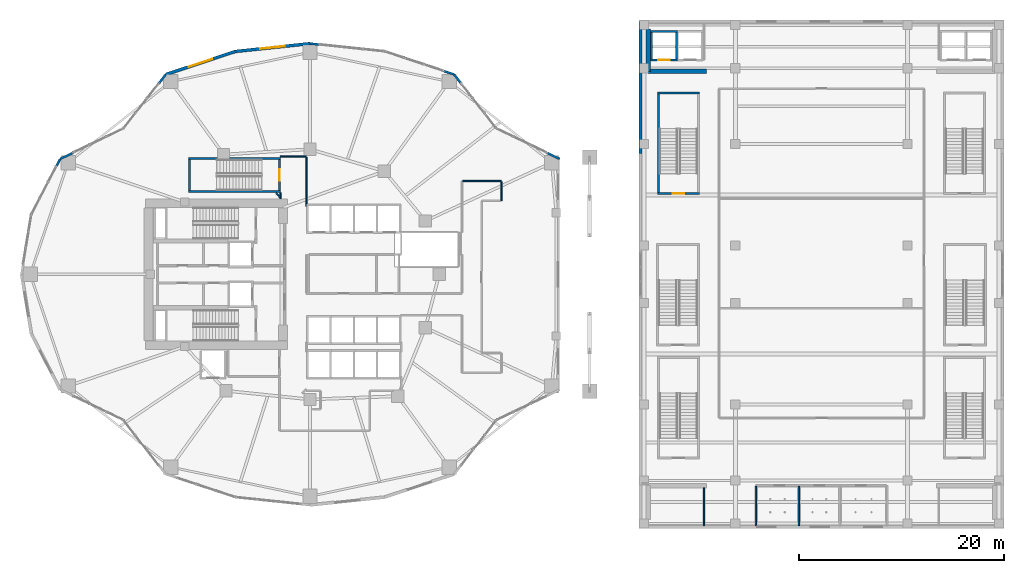
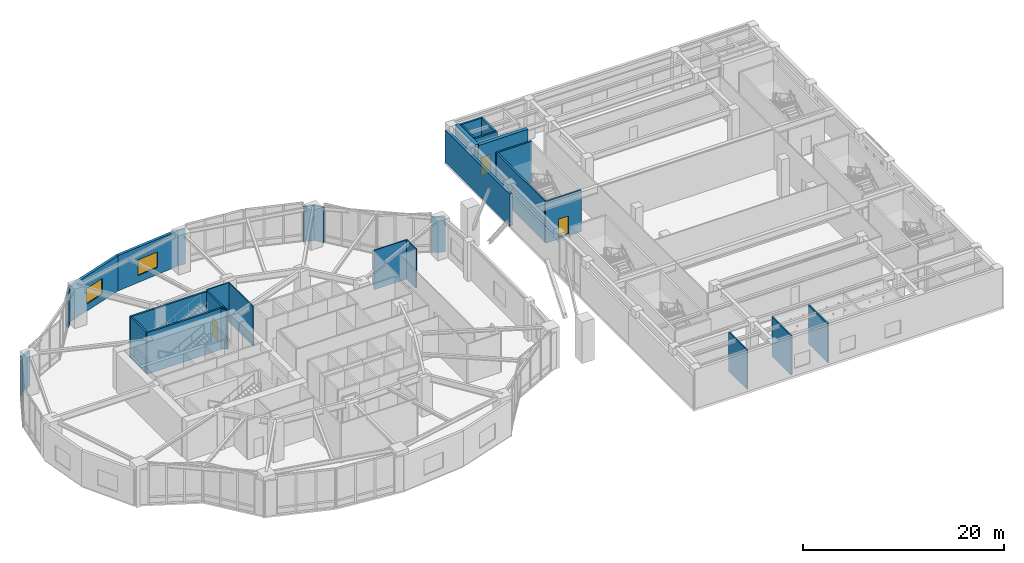
# One storey, part 17 of 24: 32 walls, 3 doors, 2 windows, 5 openings.
"""IFC4 building model written with IfcOpenShell, lengths in metres."""

import ifcopenshell
import ifcopenshell.guid

model = None  # the IFC model being written
_history = None  # IfcOwnerHistory: only IFC2X3 demands one
_inside = {}  # id of a spatial element -> (the spatial element, [elements in it])
_under = {}  # id of a project, library or spatial element -> (it, [spatial elements below it])
_declared = {}  # id of a project -> (the project, [libraries it declares])
_typed = {}  # id of a type object -> (the type object, [elements of that type])
_made_of = {}  # id of a material, layer set ... -> (it, [elements and type objects made of it])


def new_model(schema):
    """Start an empty IFC model of exactly this schema.

    Asked for "IFC4X3", IfcOpenShell would pick the latest addendum, in which some entities
    have other attributes; the version numbers below select the first issue.
    IFC2X3 requires an IfcOwnerHistory on every rooted entity: one is made here for all.
    """
    global model, _history
    if schema == "IFC4X3":
        model = ifcopenshell.file(schema_version=(4, 3, 0, 0))
    else:
        model = ifcopenshell.file(schema=schema)
    _inside.clear()
    _under.clear()
    _declared.clear()
    _typed.clear()
    _made_of.clear()
    _history = None
    if model.schema == "IFC2X3":
        org = make("IfcOrganization", Name="unknown")
        user = make(
            "IfcPersonAndOrganization",
            ThePerson=make("IfcPerson", FamilyName="unknown"),
            TheOrganization=org,
        )
        app = make(
            "IfcApplication",
            ApplicationDeveloper=org,
            Version="unknown",
            ApplicationFullName="unknown",
            ApplicationIdentifier="unknown",
        )
        _history = make(
            "IfcOwnerHistory",
            OwningUser=user,
            OwningApplication=app,
            ChangeAction="ADDED",
            CreationDate=0,
        )
    return model


def make(cls, **values):
    """One entity of the class cls with the attributes given. An attribute that is None is left unset."""
    return model.create_entity(
        cls, **{name: value for name, value in values.items() if value is not None}
    )


def rooted(cls, **values):
    """An entity with a GlobalId (a new one), such as an element, a storey or a relation."""
    return make(cls, GlobalId=ifcopenshell.guid.new(), OwnerHistory=_history, **values)


def si_unit(unit_type, name, prefix=None):
    """IfcSIUnit, for example si_unit("LENGTHUNIT", "METRE", prefix="MILLI")."""
    return make("IfcSIUnit", UnitType=unit_type, Prefix=prefix, Name=name)


def assignment(units):
    """IfcUnitAssignment: the units of a project."""
    return None if units is None else make("IfcUnitAssignment", Units=units)


def point(xyz):
    """IfcCartesianPoint."""
    return None if xyz is None else make("IfcCartesianPoint", Coordinates=xyz)


def direction(xyz):
    """IfcDirection."""
    return None if xyz is None else make("IfcDirection", DirectionRatios=xyz)


def frame(location, z_axis=None, x_axis=None):
    """IfcAxis2Placement3D, a coordinate frame: its origin and axes. An axis left out is left unset."""
    return make(
        "IfcAxis2Placement3D",
        Location=point(location),
        Axis=direction(z_axis),
        RefDirection=direction(x_axis),
    )


def frame_2d(location, x_axis=None):
    """IfcAxis2Placement2D, a coordinate frame in the plane: its origin and x axis."""
    return make(
        "IfcAxis2Placement2D", Location=point(location), RefDirection=direction(x_axis)
    )


def origin():
    """The frame at (0, 0, 0) with its axes left unset."""
    return frame((0.0, 0.0, 0.0))


def place(relative_to, where):
    """IfcLocalPlacement: puts the frame where relative to a parent placement (None: the world)."""
    return make(
        "IfcLocalPlacement", PlacementRelTo=relative_to, RelativePlacement=where
    )


def context(
    kind, dimensions, precision=None, world=None, true_north=None, identifier=None
):
    """IfcGeometricRepresentationContext, for example the 3D "Model" context."""
    return make(
        "IfcGeometricRepresentationContext",
        ContextIdentifier=identifier,
        ContextType=kind,
        CoordinateSpaceDimension=dimensions,
        Precision=precision,
        WorldCoordinateSystem=world,
        TrueNorth=true_north,
    )


def subcontext(parent, identifier, kind, view, scale=None):
    """IfcGeometricRepresentationSubContext, for example "Body" below "Model"."""
    return make(
        "IfcGeometricRepresentationSubContext",
        ContextIdentifier=identifier,
        ContextType=kind,
        ParentContext=parent,
        TargetScale=scale,
        TargetView=view,
    )


def project(units=None, contexts=None):
    """IfcProject with its units and contexts."""
    return rooted(
        "IfcProject",
        Name="project",
        RepresentationContexts=contexts,
        UnitsInContext=assignment(units),
    )


def spatial(cls, under=None, at=None, **own):
    """A site, building, storey or space (cls), placed at a placement, below another one or the project."""
    s = rooted(cls, ObjectPlacement=at, **own)
    if under is not None:
        _under.setdefault(under.id(), (under, []))[1].append(s)
    return s


def profile(cls, at=None, kind="AREA", **sizes):
    """A parametric profile (cls). Its sizes go by their IFC names, for example OverallWidth=200.0."""
    return make(cls, ProfileType=kind, Position=at, **sizes)


def rectangle(**sizes):
    """IfcRectangleProfileDef."""
    return profile("IfcRectangleProfileDef", **sizes)


def extrude(swept, where, along, depth):
    """IfcExtrudedAreaSolid: the profile swept, set in the frame where, extruded along a direction by depth."""
    return make(
        "IfcExtrudedAreaSolid",
        SweptArea=swept,
        Position=where,
        ExtrudedDirection=direction(along),
        Depth=depth,
    )


def shape(context_of_items, identifier, shape_type, items):
    """IfcShapeRepresentation: the items that make up one representation, for example the "Body"."""
    return make(
        "IfcShapeRepresentation",
        ContextOfItems=context_of_items,
        RepresentationIdentifier=identifier,
        RepresentationType=shape_type,
        Items=items,
    )


def material(Name=None, Category=None):
    """IfcMaterial."""
    return make("IfcMaterial", Name=Name, Category=Category)


def layer(
    of_material, thickness, ventilated=None, Name=None, Category=None, Priority=None
):
    """IfcMaterialLayer: one layer of a wall or slab, of a material (None: an air gap)."""
    return make(
        "IfcMaterialLayer",
        Material=of_material,
        LayerThickness=thickness,
        IsVentilated=ventilated,
        Name=Name,
        Category=Category,
        Priority=Priority,
    )


def layer_set(layers, Name=None):
    """IfcMaterialLayerSet."""
    return make("IfcMaterialLayerSet", MaterialLayers=layers, LayerSetName=Name)


def made_of(thing, what):
    """Note that an element or type object is made of a material, layer set ...; save() writes the relation."""
    if what is not None:
        _made_of.setdefault(what.id(), (what, []))[1].append(thing)
    return thing


def type_object(cls, material=None, **own):
    """A type object (cls), such as IfcWallType, which elements share."""
    return made_of(rooted(cls, **own), material)


def element(
    cls,
    number,
    at=None,
    inside=None,
    cuts=None,
    type_object=None,
    material=None,
    context=None,
    identifier="Body",
    shape_type=None,
    held_by="IfcProductDefinitionShape",
    body=None,
    shapes=None,
    **own,
):
    """One element of the class cls, such as IfcWall. Its Tag is "e" and its number.

    at: its placement. inside: the storey or other place that contains it. cuts: it is an
    opening in that element (IfcRelVoidsElement). A single representation is given by context,
    identifier, shape_type and body (its items); several are given by shapes. held_by: the class
    of the entity that holds the representations. save() writes the other relations.
    """
    e = rooted(cls, Tag="e%d" % number, ObjectPlacement=at, **own)
    if body is not None:
        shapes = [shape(context, identifier, shape_type, body)]
    if shapes is not None:
        e.Representation = make(held_by, Representations=shapes)
    if inside is not None:
        _inside.setdefault(inside.id(), (inside, []))[1].append(e)
    if cuts is not None:
        rooted(
            "IfcRelVoidsElement", RelatingBuildingElement=cuts, RelatedOpeningElement=e
        )
    if type_object is not None:
        _typed.setdefault(type_object.id(), (type_object, []))[1].append(e)
    return made_of(e, material)


def fill(opening, filler):
    """IfcRelFillsElement: the door or window that sits in an opening."""
    return rooted(
        "IfcRelFillsElement",
        RelatingOpeningElement=opening,
        RelatedBuildingElement=filler,
    )


def aggregate(whole, parts):
    """IfcRelAggregates: a whole, such as a stair, and the parts it consists of."""
    return rooted("IfcRelAggregates", RelatingObject=whole, RelatedObjects=parts)


def save(model, path):
    """Write the relations noted so far, then the file.

    IfcRelAggregates (storeys below a building ...), IfcRelContainedInSpatialStructure (elements
    in a storey), IfcRelDefinesByType, IfcRelAssociatesMaterial and IfcRelDeclares: one each for
    every whole, place, type object, material and project.
    """
    for whole, parts in _under.values():
        aggregate(whole, parts)
    for where, things in _inside.values():
        rooted(
            "IfcRelContainedInSpatialStructure",
            RelatedElements=things,
            RelatingStructure=where,
        )
    for kind, things in _typed.values():
        rooted("IfcRelDefinesByType", RelatedObjects=things, RelatingType=kind)
    for what, things in _made_of.values():
        rooted("IfcRelAssociatesMaterial", RelatedObjects=things, RelatingMaterial=what)
    for by, libraries in _declared.values():
        rooted("IfcRelDeclares", RelatingContext=by, RelatedDefinitions=libraries)
    model.write(path)


model = new_model("IFC4")

# Units and contexts
model_context = context("Model", 3, precision=1e-05, world=origin(), true_north=direction((0.0, 1.0)))
body_context = subcontext(model_context, "Body", "Model", "MODEL_VIEW")
ifc_project = project(units=[si_unit("LENGTHUNIT", "METRE"), si_unit("AREAUNIT", "SQUARE_METRE"), si_unit("VOLUMEUNIT", "CUBIC_METRE"), si_unit("PLANEANGLEUNIT", "RADIAN"), si_unit("MASSUNIT", "GRAM", prefix="KILO")], contexts=[model_context])

# Site, building, storey
site_placement = place(None, origin())
site = spatial("IfcSite", under=ifc_project, at=site_placement, CompositionType="ELEMENT")
building_placement = place(site_placement, origin())
building = spatial("IfcBuilding", under=site, at=building_placement, Name="Kolvaren Gate Tower and Convention Centre", CompositionType="ELEMENT")
storey_placement = place(building_placement, frame((0.0, 0.0, 10.0)))
storey = spatial("IfcBuildingStorey", under=building, at=storey_placement, Name="L02", CompositionType="ELEMENT", Elevation=10.0)

# Walls
ifc_material_1 = material(Name="Fire-Rated Acoustic Gypsum Stud Partition", Category="gypsum")
ifc_layer_1 = layer(ifc_material_1, 0.1201171875)
ifc_layer_set_1 = layer_set([ifc_layer_1], Name="Fire-Rated Acoustic Gypsum Stud Partition")
wall_type_1 = type_object("IfcWallType", Name="ARCH-WL-PART-120", PredefinedType="PARTITIONING", material=ifc_layer_set_1)
wall_1_placement = place(storey_placement, frame((27.25, 34.35205078125, 0.0), z_axis=(0.0, 0.0, 1.0), x_axis=(0.0, 1.0, 0.0)))
element("IfcWall", 1, at=wall_1_placement, inside=storey, type_object=wall_type_1, Name="Interior Partition WL-L02-INT-021", PredefinedType="PARTITIONING", context=body_context, shape_type="SweptSolid", body=[
    extrude(rectangle(XDim=0.60595703125, YDim=0.1201171875, at=frame_2d((0.302978515625, 0.0))), origin(), (0.0, 0.0, 1.0), 4.760009765625),
])
wall_2_placement = place(storey_placement, frame((27.25, 38.5, 0.0), z_axis=(0.0, 0.0, 1.0), x_axis=(1.0, 0.0, 0.0)))
element("IfcWall", 2, at=wall_2_placement, inside=storey, type_object=wall_type_1, Name="Interior Partition WL-L02-INT-022", PredefinedType="PARTITIONING", context=body_context, shape_type="SweptSolid", body=[
    extrude(rectangle(XDim=2.530029296875, YDim=0.1201171875, at=frame_2d((1.26513671875, 0.0))), origin(), (0.0, 0.0, 1.0), 4.760009765625),
])
wall_3_placement = place(storey_placement, frame((29.780029296875, 33.639892578125, 0.0), z_axis=(0.0, 0.0, 1.0), x_axis=(0.0, 1.0, 0.0)))
element("IfcWall", 3, at=wall_3_placement, inside=storey, type_object=wall_type_1, Name="Interior Partition WL-L02-INT-025", PredefinedType="PARTITIONING", context=body_context, shape_type="SweptSolid", body=[
    extrude(rectangle(XDim=4.798095703125, YDim=0.1201171875, at=frame_2d((2.39892578125, 0.0))), origin(), (0.0, 0.0, 1.0), 4.760009765625),
])
wall_4_placement = place(storey_placement, frame((45.011962890625, 36.10009765625, 0.0), z_axis=(0.0, 0.0, 1.0), x_axis=(1.0, 0.0, 0.0)))
element("IfcWall", 4, at=wall_4_placement, inside=storey, type_object=wall_type_1, Name="Interior Partition WL-L02-INT-032", PredefinedType="PARTITIONING", context=body_context, shape_type="SweptSolid", body=[
    extrude(rectangle(XDim=3.7880859375, YDim=0.1201171875, at=frame_2d((1.89404296875, 0.0))), origin(), (0.0, 0.0, 1.0), 4.760009765625),
])
wall_5_placement = place(storey_placement, frame((48.800048828125, 34.179931640625, 0.0), z_axis=(0.0, 0.0, 1.0), x_axis=(0.0, 1.0, 0.0)))
element("IfcWall", 5, at=wall_5_placement, inside=storey, type_object=wall_type_1, Name="Interior Partition WL-L02-INT-034", PredefinedType="PARTITIONING", context=body_context, shape_type="SweptSolid", body=[
    extrude(rectangle(XDim=1.858154296875, YDim=0.1201171875, at=frame_2d((0.92919921875, 0.0))), origin(), (0.0, 0.0, 1.0), 4.760009765625),
])
wall_6_placement = place(storey_placement, frame((26.82275390625, 34.9580078125, 0.0), z_axis=(0.0, 0.0, 1.0), x_axis=(0.642124432794, -0.766600425782, 0.0)))
element("IfcWall", 6, at=wall_6_placement, inside=storey, type_object=wall_type_1, Name="Interior Partition WL-L02-INT-046", PredefinedType="PARTITIONING", context=body_context, shape_type="SweptSolid", body=[
    extrude(rectangle(XDim=0.56884765625, YDim=0.1201171875, at=frame_2d((0.284423828125, 0.0))), origin(), (0.0, 0.0, 1.0), 4.760009765625),
])
wall_7_placement = place(storey_placement, frame((68.550048828125, 2.501953125, 0.0), z_axis=(0.0, 0.0, 1.0), x_axis=(0.0, 1.0, 0.0)))
element("IfcWall", 7, at=wall_7_placement, inside=storey, type_object=wall_type_1, Name="Interior Partition WL-L02-INT-049", PredefinedType="PARTITIONING", context=body_context, shape_type="SweptSolid", body=[
    extrude(rectangle(XDim=3.68603515625, YDim=0.1201171875, at=frame_2d((1.843017578125, 0.0))), origin(), (0.0, 0.0, 1.0), 4.760009765625),
])
ifc_material_2 = material(Name="Bogota Sabana Bush-Hammered Sandstone Cladding", Category="masonry")
ifc_layer_2 = layer(ifc_material_2, 0.219970703125)
ifc_layer_set_2 = layer_set([ifc_layer_2], Name="Bogota Sabana Bush-Hammered Sandstone Cladding")
wall_type_2 = type_object("IfcWallType", Name="ARCH-WL-PIER-220", PredefinedType="SOLIDWALL", material=ifc_layer_set_2)
wall_8_placement = place(storey_placement, frame((53.23681640625, 38.848388671875, 0.0), z_axis=(0.0, 0.0, 1.0), x_axis=(0.901316119915, -0.433161923512, 0.0)))
element("IfcWall", 8, at=wall_8_placement, inside=storey, type_object=wall_type_2, Name="Tower L02 Unitised Curtain Wall CW-POD-GLZ Bay 02 Right Column Pier Wrap", PredefinedType="SOLIDWALL", context=body_context, shape_type="SweptSolid", body=[
    extrude(rectangle(XDim=1.38134765625, YDim=0.219970703125, at=frame_2d((0.690673828125, 0.0))), origin(), (0.0, 0.0, 1.0), 4.282958984375),
])
wall_9_placement = place(storey_placement, frame((44.1875, 46.485595703125, 0.0), z_axis=(0.0, 0.0, 1.0), x_axis=(0.616387780378, -0.787442762492, 0.0)))
element("IfcWall", 9, at=wall_9_placement, inside=storey, type_object=wall_type_2, Name="Tower L02 Unitised Curtain Wall CW-POD-GLZ Bay 03 Left Column Pier Wrap", PredefinedType="SOLIDWALL", context=body_context, shape_type="SweptSolid", body=[
    extrude(rectangle(XDim=1.076171875, YDim=0.219970703125, at=frame_2d((0.5380859375, 0.0))), origin(), (0.0, 0.0, 1.0), 4.282958984375),
])
wall_10_placement = place(storey_placement, frame((43.148193359375, 46.830078125, 0.0), z_axis=(0.0, 0.0, 1.0), x_axis=(0.949217086672, -0.314621872045, 0.0)))
element("IfcWall", 10, at=wall_10_placement, inside=storey, type_object=wall_type_2, Name="Tower L02 Unitised Curtain Wall CW-POD-GLZ Bay 04 Right Column Pier Wrap", PredefinedType="SOLIDWALL", context=body_context, shape_type="SweptSolid", body=[
    extrude(rectangle(XDim=1.094970703125, YDim=0.219970703125, at=frame_2d((0.54736328125, 0.0))), origin(), (0.0, 0.0, 1.0), 4.282958984375),
])
wall_11_placement = place(storey_placement, frame((30.125, 49.5, 0.0), z_axis=(0.0, 0.0, 1.0), x_axis=(0.994486716049, -0.104862632057, 0.0)))
element("IfcWall", 11, at=wall_11_placement, inside=storey, type_object=wall_type_2, Name="Tower L02 Unitised Curtain Wall CW-POD-GLZ Bay 05 Left Column Pier Wrap", PredefinedType="SOLIDWALL", context=body_context, shape_type="SweptSolid", body=[
    extrude(rectangle(XDim=0.928955078125, YDim=0.219970703125, at=frame_2d((0.46435546875, 0.0))), origin(), (0.0, 0.0, 1.0), 4.282958984375),
])
wall_12_placement = place(storey_placement, frame((15.39892578125, 45.63818359375, 0.0), z_axis=(0.0, 0.0, 1.0), x_axis=(0.616528421162, 0.787332652632, 0.0)))
element("IfcWall", 12, at=wall_12_placement, inside=storey, type_object=wall_type_2, Name="Tower L02 Unitised Curtain Wall CW-POD-GLZ Bay 08 Right Column Pier Wrap", PredefinedType="SOLIDWALL", context=body_context, shape_type="SweptSolid", body=[
    extrude(rectangle(XDim=1.076416015625, YDim=0.219970703125, at=frame_2d((0.5380859375, 0.0))), origin(), (0.0, 0.0, 1.0), 4.282958984375),
])
wall_13_placement = place(storey_placement, frame((5.76806640625, 38.25, 0.0), z_axis=(0.0, 0.0, 1.0), x_axis=(0.90131879969, 0.433156347438, 0.0)))
element("IfcWall", 13, at=wall_13_placement, inside=storey, type_object=wall_type_2, Name="Tower L02 Unitised Curtain Wall CW-POD-GLZ Bay 09 Left Column Pier Wrap", PredefinedType="SOLIDWALL", context=body_context, shape_type="SweptSolid", body=[
    extrude(rectangle(XDim=1.380859375, YDim=0.219970703125, at=frame_2d((0.6904296875, 0.0))), origin(), (0.0, 0.0, 1.0), 4.282958984375),
])
wall_14_placement = place(storey_placement, frame((5.3994140625, 37.537841796875, 0.0), z_axis=(0.0, 0.0, 1.0), x_axis=(0.459712774547, 0.88806765785, 0.0)))
element("IfcWall", 14, at=wall_14_placement, inside=storey, type_object=wall_type_2, Name="Tower L02 Unitised Curtain Wall CW-POD-GLZ Bay 10 Right Column Pier Wrap", PredefinedType="SOLIDWALL", context=body_context, shape_type="SweptSolid", body=[
    extrude(rectangle(XDim=0.802001953125, YDim=0.219970703125, at=frame_2d((0.40087890625, 0.0))), origin(), (0.0, 0.0, 1.0), 4.282958984375),
])
ifc_material_3 = material(Name="Autoclaved Aerated Masonry Blockwork Class 4 (4.0 MPa)", Category="masonry")
ifc_layer_3 = layer(ifc_material_3, 0.199951171875)
ifc_layer_set_3 = layer_set([ifc_layer_3], Name="Autoclaved Aerated Masonry Blockwork Class 4 (4.0 MPa)")
wall_type_3 = type_object("IfcWallType", Name="ARCH-WL-SHAFT-200", PredefinedType="SOLIDWALL", material=ifc_layer_set_3)
wall_15_placement = place(storey_placement, frame((63.35009765625, 50.699951171875, 0.0), z_axis=(0.0, 0.0, 1.0), x_axis=(1.0, 0.0, 0.0)))
element("IfcWall", 15, at=wall_15_placement, inside=storey, type_object=wall_type_3, Name="Elevator CL-01 L02 Fire Shaft Wall N", PredefinedType="SOLIDWALL", context=body_context, shape_type="SweptSolid", body=[
    extrude(rectangle(XDim=2.599853515625, YDim=0.199951171875, at=frame_2d((1.2998046875, 0.0))), origin(), (0.0, 0.0, 1.0), 4.760009765625),
])

# Wall, opening, door
wall_16_placement = place(storey_placement, frame((63.35009765625, 47.89990234375, 0.0), z_axis=(0.0, 0.0, 1.0), x_axis=(1.0, 0.0, 0.0)))
wall_16 = element("IfcWall", 16, at=wall_16_placement, inside=storey, type_object=wall_type_3, Name="Elevator CL-01 L02 Fire Shaft Wall S", PredefinedType="SOLIDWALL", context=body_context, shape_type="SweptSolid", body=[
    extrude(rectangle(XDim=2.599853515625, YDim=0.199951171875, at=frame_2d((1.2998046875, 0.0))), origin(), (0.0, 0.0, 1.0), 4.760009765625),
])
opening_1_placement = place(wall_16_placement, frame((0.75, 0.0, 0.0)))
opening_1 = element("IfcOpeningElement", 17, at=opening_1_placement, cuts=wall_16, Name="Opening LD", PredefinedType="OPENING", context=body_context, shape_type="SweptSolid", body=[
    extrude(rectangle(XDim=1.10009765625, YDim=2.199951171875, at=frame_2d((0.550048828125, 1.10009765625))), frame((0.0, 0.10986328125, 0.0), z_axis=(0.0, -1.0, 0.0), x_axis=(1.0, 0.0, 0.0)), (0.0, 0.0, 1.0), 0.219970703125),
])
ifc_material_4 = material(Name="Brushed Stainless Steel Grade 316L", Category="steel")
door_type_1 = type_object("IfcDoorType", Name="ARCH-DR-LIFT-1100", OperationType="SLIDING_TO_LEFT", PredefinedType="DOOR", material=ifc_material_4)
door_1_placement = place(opening_1_placement, origin())
door_1 = element("IfcDoor", 18, at=door_1_placement, inside=storey, type_object=door_type_1, Name="Elevator CL-01 L02 Sliding Landing Door", OperationType="SLIDING_TO_LEFT", OverallHeight=2.199951171875, OverallWidth=1.10009765625, PredefinedType="DOOR", context=body_context, shape_type="SweptSolid", body=[
    extrude(rectangle(XDim=1.10009765625, YDim=2.199951171875, at=frame_2d((0.550048828125, 1.10009765625))), frame((0.0, 0.02490234375, 0.0), z_axis=(0.0, -1.0, 0.0), x_axis=(1.0, 0.0, 0.0)), (0.0, 0.0, 1.0), 0.050048828125),
])
fill(opening_1, door_1)

# Walls
for number, where, z_axis, x_axis, name in (
    (19, (63.449951171875, 48.010009765625, 0.0), (0.0, 0.0, 1.0), (0.0, 1.0, 0.0), "Elevator CL-01 L02 Fire Shaft Wall W"),
    (20, (65.85009765625, 48.010009765625, 0.0), (0.0, 0.0, 1.0), (0.0, 1.0, 0.0), "Elevator CL-01 L02 Fire Shaft Wall E"),
):
    element("IfcWall", number, at=place(storey_placement, frame(where, z_axis=z_axis, x_axis=x_axis)), inside=storey, type_object=wall_type_3, Name=name, PredefinedType="SOLIDWALL", context=body_context, shape_type="SweptSolid", body=[
        extrude(rectangle(XDim=2.580078125, YDim=0.199951171875, at=frame_2d((1.2900390625, 0.0))), origin(), (0.0, 0.0, 1.0), 4.760009765625),
    ])

# Wall, opening, window
ifc_material_5 = material(Name="Piedmont Cream Honed Limestone Cladding", Category="masonry")
ifc_layer_4 = layer(ifc_material_5, 0.300048828125)
ifc_layer_set_4 = layer_set([ifc_layer_4], Name="Piedmont Cream Honed Limestone Cladding")
wall_type_4 = type_object("IfcWallType", Name="ARCH-WL-STONE-300", PredefinedType="SOLIDWALL", material=ifc_layer_set_4)
wall_17_placement = place(storey_placement, frame((22.845703125, 48.7333984375, 0.0), z_axis=(0.0, 0.0, 1.0), x_axis=(0.994500334317, 0.104733399844, 0.0)))
wall_17 = element("IfcWall", 21, at=wall_17_placement, inside=storey, type_object=wall_type_4, Name="Tower L02 Honed Stone Spandrel Wall EW-06", PredefinedType="SOLIDWALL", context=body_context, shape_type="SweptSolid", body=[
    extrude(rectangle(XDim=7.319580078125, YDim=0.300048828125, at=frame_2d((3.65966796875, 0.0))), origin(), (0.0, 0.0, 1.0), 4.282958984375),
])
opening_2_placement = place(wall_17_placement, frame((2.4599609375, 0.0, 0.85009765625)))
opening_2 = element("IfcOpeningElement", 22, at=opening_2_placement, cuts=wall_17, Name="Opening W-01", PredefinedType="OPENING", context=body_context, shape_type="SweptSolid", body=[
    extrude(rectangle(XDim=2.39990234375, YDim=1.89990234375, at=frame_2d((1.199951171875, 0.949951171875))), frame((0.0, 0.159912109375, 0.0), z_axis=(0.0, -1.0, 0.0), x_axis=(1.0, 0.0, 0.0)), (0.0, 0.0, 1.0), 0.320068359375),
])
ifc_material_6 = material(Name="Low-E Triple Insulated Glazing Unit 44 mm", Category="glass")
window_type = type_object("IfcWindowType", Name="ARCH-WN-OFF-2400", PartitioningType="SINGLE_PANEL", PredefinedType="WINDOW", material=ifc_material_6)
window_1_placement = place(opening_2_placement, origin())
window_1 = element("IfcWindow", 23, at=window_1_placement, inside=storey, type_object=window_type, Name="Tower L02 Punched Stone Facade Window W-06", OverallHeight=1.89990234375, OverallWidth=2.39990234375, PartitioningType="SINGLE_PANEL", PredefinedType="WINDOW", context=body_context, shape_type="SweptSolid", body=[
    extrude(rectangle(XDim=2.39990234375, YDim=1.89990234375, at=frame_2d((1.199951171875, 0.949951171875))), frame((0.0, 0.030029296875, 0.0), z_axis=(0.0, -1.0, 0.0), x_axis=(1.0, 0.0, 0.0)), (0.0, 0.0, 1.0), 0.06005859375),
])
fill(opening_2, window_1)

wall_18_placement = place(storey_placement, frame((16.0625, 46.485595703125, 0.0), z_axis=(0.0, 0.0, 1.0), x_axis=(0.949238715533, 0.31455661006, 0.0)))
wall_18 = element("IfcWall", 24, at=wall_18_placement, inside=storey, type_object=wall_type_4, Name="Tower L02 Honed Stone Spandrel Wall EW-07", PredefinedType="SOLIDWALL", context=body_context, shape_type="SweptSolid", body=[
    extrude(rectangle(XDim=7.14599609375, YDim=0.300048828125, at=frame_2d((3.572998046875, 0.0))), origin(), (0.0, 0.0, 1.0), 4.282958984375),
])
opening_3_placement = place(wall_18_placement, frame((2.373046875, 0.0, 0.85009765625)))
opening_3 = element("IfcOpeningElement", 25, at=opening_3_placement, cuts=wall_18, Name="Opening W-01", PredefinedType="OPENING", context=body_context, shape_type="SweptSolid", body=[
    extrude(rectangle(XDim=2.39990234375, YDim=1.89990234375, at=frame_2d((1.199951171875, 0.949951171875))), frame((0.0, 0.159912109375, 0.0), z_axis=(0.0, -1.0, 0.0), x_axis=(1.0, 0.0, 0.0)), (0.0, 0.0, 1.0), 0.320068359375),
])
window_2_placement = place(opening_3_placement, origin())
window_2 = element("IfcWindow", 26, at=window_2_placement, inside=storey, type_object=window_type, Name="Tower L02 Punched Stone Facade Window W-07", OverallHeight=1.89990234375, OverallWidth=2.39990234375, PartitioningType="SINGLE_PANEL", PredefinedType="WINDOW", context=body_context, shape_type="SweptSolid", body=[
    extrude(rectangle(XDim=2.39990234375, YDim=1.89990234375, at=frame_2d((1.199951171875, 0.949951171875))), frame((0.0, 0.030029296875, 0.0), z_axis=(0.0, -1.0, 0.0), x_axis=(1.0, 0.0, 0.0)), (0.0, 0.0, 1.0), 0.06005859375),
])
fill(opening_3, window_2)

# Walls
wall_19_placement = place(storey_placement, frame((62.35009765625, 38.800048828125, 0.0), z_axis=(0.0, 0.0, 1.0), x_axis=(0.0, 1.0, 0.0)))
element("IfcWall", 27, at=wall_19_placement, inside=storey, type_object=wall_type_4, Name="Convention L02 W Stone Wing Wall North", PredefinedType="SOLIDWALL", context=body_context, shape_type="SweptSolid", body=[
    extrude(rectangle(XDim=12.849853515625, YDim=0.300048828125, at=frame_2d((6.4248046875, 0.0))), origin(), (0.0, 0.0, 1.0), 3.89697265625),
])
ifc_material_7 = material(Name="Moisture-Resistant Cement-Board Acoustic Partition", Category="gypsum")
ifc_layer_5 = layer(ifc_material_7, 0.14990234375)
ifc_layer_set_5 = layer_set([ifc_layer_5], Name="Moisture-Resistant Cement-Board Acoustic Partition")
wall_type_5 = type_object("IfcWallType", Name="ARCH-WL-WET-150", PredefinedType="PARTITIONING", material=ifc_layer_set_5)
for number, where, z_axis, x_axis, name in (
    (28, (73.60009765625, 2.501953125, 0.0), (0.0, 0.0, 1.0), (0.0, 1.0, 0.0), "Interior Partition WL-L02-INT-055"),
    (29, (77.800048828125, 2.501953125, 0.0), (0.0, 0.0, 1.0), (0.0, 1.0, 0.0), "Interior Partition WL-L02-INT-060"),
):
    element("IfcWall", number, at=place(storey_placement, frame(where, z_axis=z_axis, x_axis=x_axis)), inside=storey, type_object=wall_type_5, Name=name, PredefinedType="PARTITIONING", context=body_context, shape_type="SweptSolid", body=[
        extrude(rectangle(XDim=3.821044921875, YDim=0.14990234375, at=frame_2d((1.91064453125, 0.0))), origin(), (0.0, 0.0, 1.0), 4.760009765625),
    ])
ifc_material_8 = material(Name="Concrete C50/60", Category="concrete")
ifc_layer_6 = layer(ifc_material_8, 0.419921875)
ifc_layer_set_6 = layer_set([ifc_layer_6], Name="Concrete C50/60")
wall_type_6 = type_object("IfcWallType", Name="STR-WL-CONV-420", PredefinedType="SHEAR", material=ifc_layer_set_6)
wall_20_placement = place(storey_placement, frame((63.10009765625, 46.800048828125, -0.260009765625), z_axis=(0.0, 0.0, 1.0), x_axis=(0.0, 1.0, 0.0)))
element("IfcWall", 30, at=wall_20_placement, inside=storey, type_object=wall_type_6, Name="Convention L02 Shear Core Wall CCNW-W", PredefinedType="SHEAR", context=body_context, shape_type="SweptSolid", body=[
    extrude(rectangle(XDim=4.099853515625, YDim=0.419921875, at=frame_2d((2.0498046875, 0.0))), origin(), (0.0, 0.0, 1.0), 5.02001953125),
])
wall_21_placement = place(storey_placement, frame((63.10009765625, 46.800048828125, -0.260009765625), z_axis=(0.0, 0.0, 1.0), x_axis=(1.0, 0.0, 0.0)))
element("IfcWall", 31, at=wall_21_placement, inside=storey, type_object=wall_type_6, Name="Convention L02 Shear Core Wall CCNW-S", PredefinedType="SHEAR", context=body_context, shape_type="SweptSolid", body=[
    extrude(rectangle(XDim=5.699951171875, YDim=0.419921875, at=frame_2d((2.85009765625, 0.0))), origin(), (0.0, 0.0, 1.0), 5.02001953125),
])

# Wall, opening, door
ifc_layer_7 = layer(ifc_material_8, 0.199951171875)
ifc_layer_set_7 = layer_set([ifc_layer_7], Name="Concrete C50/60")
wall_type_7 = type_object("IfcWallType", Name="STR-WL-SHAFT-200", PredefinedType="SHEAR", material=ifc_layer_set_7)
wall_22_placement = place(storey_placement, frame((27.14990234375, 35.159912109375, -0.260009765625), z_axis=(0.0, 0.0, 1.0), x_axis=(0.0, 1.0, 0.0)))
wall_22 = element("IfcWall", 32, at=wall_22_placement, inside=storey, type_object=wall_type_7, Name="Tower Mid-Zone Exit Stair ST-T3 L02 Structural Shear Enclosure Wall NEAR", PredefinedType="SHEAR", context=body_context, shape_type="SweptSolid", body=[
    extrude(rectangle(XDim=3.0400390625, YDim=0.199951171875, at=frame_2d((1.52001953125, 0.0))), origin(), (0.0, 0.0, 1.0), 5.02001953125),
])
opening_4_placement = place(wall_22_placement, frame((0.969970703125, 0.0, 0.260009765625)))
opening_4 = element("IfcOpeningElement", 33, at=opening_4_placement, cuts=wall_22, Name="Opening DS-01", PredefinedType="OPENING", context=body_context, shape_type="SweptSolid", body=[
    extrude(rectangle(XDim=1.10009765625, YDim=2.14990234375, at=frame_2d((0.550048828125, 1.074951171875))), frame((0.0, 0.10986328125, 0.0), z_axis=(0.0, -1.0, 0.0), x_axis=(1.0, 0.0, 0.0)), (0.0, 0.0, 1.0), 0.219970703125),
])
ifc_material_9 = material(Name="Painted Architectural Steelwork ASTM A500 Grade C 345 MPa", Category="steel")
door_type_2 = type_object("IfcDoorType", Name="ARCH-DR-STAIR-1100", OperationType="SINGLE_SWING_LEFT", PredefinedType="DOOR", material=ifc_material_9)
door_2_placement = place(opening_4_placement, origin())
door_2 = element("IfcDoor", 34, at=door_2_placement, inside=storey, type_object=door_type_2, Name="Tower Mid-Zone Exit Stair ST-T3 L02 Fire Exit Stair Door", OperationType="SINGLE_SWING_RIGHT", OverallHeight=2.14990234375, OverallWidth=1.10009765625, PredefinedType="DOOR", context=body_context, shape_type="SweptSolid", body=[
    extrude(rectangle(XDim=1.10009765625, YDim=2.14990234375, at=frame_2d((0.550048828125, 1.074951171875))), frame((0.0, 0.02490234375, 0.0), z_axis=(0.0, -1.0, 0.0), x_axis=(1.0, 0.0, 0.0)), (0.0, 0.0, 1.0), 0.050048828125),
])
fill(opening_4, door_2)

# Walls
wall_23_placement = place(storey_placement, frame((18.39990234375, 35.159912109375, -0.260009765625), z_axis=(0.0, 0.0, 1.0), x_axis=(0.0, 1.0, 0.0)))
element("IfcWall", 35, at=wall_23_placement, inside=storey, type_object=wall_type_7, Name="Tower Mid-Zone Exit Stair ST-T3 L02 Structural Shear Enclosure Wall FAR", PredefinedType="SHEAR", context=body_context, shape_type="SweptSolid", body=[
    extrude(rectangle(XDim=3.0400390625, YDim=0.199951171875, at=frame_2d((1.52001953125, 0.0))), origin(), (0.0, 0.0, 1.0), 5.02001953125),
])
for number, where, z_axis, x_axis, name in (
    (36, (18.300048828125, 38.300048828125, -0.260009765625), (0.0, 0.0, 1.0), (1.0, 0.0, 0.0), "Tower Mid-Zone Exit Stair ST-T3 L02 Structural Shear Enclosure Wall LEFT"),
    (37, (18.300048828125, 35.06005859375, -0.260009765625), (0.0, 0.0, 1.0), (1.0, 0.0, 0.0), "Tower Mid-Zone Exit Stair ST-T3 L02 Structural Shear Enclosure Wall RGHT"),
):
    element("IfcWall", number, at=place(storey_placement, frame(where, z_axis=z_axis, x_axis=x_axis)), inside=storey, type_object=wall_type_7, Name=name, PredefinedType="SHEAR", context=body_context, shape_type="SweptSolid", body=[
        extrude(rectangle(XDim=8.949951171875, YDim=0.199951171875, at=frame_2d((4.47509765625, 0.0))), origin(), (0.0, 0.0, 1.0), 5.02001953125),
    ])

# Wall, opening, door
wall_24_placement = place(storey_placement, frame((64.0, 34.89990234375, -0.260009765625), z_axis=(0.0, 0.0, 1.0), x_axis=(1.0, 0.0, 0.0)))
wall_24 = element("IfcWall", 38, at=wall_24_placement, inside=storey, type_object=wall_type_7, Name="Convention NW Exit Stair ST-C1 L02 Structural Shear Enclosure Wall NEAR", PredefinedType="SHEAR", context=body_context, shape_type="SweptSolid", body=[
    extrude(rectangle(XDim=4.10009765625, YDim=0.199951171875, at=frame_2d((2.050048828125, 0.0))), origin(), (0.0, 0.0, 1.0), 5.02001953125),
])
opening_5_placement = place(wall_24_placement, frame((1.5, 0.0, 0.260009765625)))
opening_5 = element("IfcOpeningElement", 39, at=opening_5_placement, cuts=wall_24, Name="Opening DS-01", PredefinedType="OPENING", context=body_context, shape_type="SweptSolid", body=[
    extrude(rectangle(XDim=1.10009765625, YDim=2.14990234375, at=frame_2d((0.550048828125, 1.074951171875))), frame((0.0, 0.10986328125, 0.0), z_axis=(0.0, -1.0, 0.0), x_axis=(1.0, 0.0, 0.0)), (0.0, 0.0, 1.0), 0.219970703125),
])
door_3_placement = place(opening_5_placement, origin())
door_3 = element("IfcDoor", 40, at=door_3_placement, inside=storey, type_object=door_type_2, Name="Convention NW Exit Stair ST-C1 L02 Fire Exit Stair Door", OperationType="SINGLE_SWING_RIGHT", OverallHeight=2.14990234375, OverallWidth=1.10009765625, PredefinedType="DOOR", context=body_context, shape_type="SweptSolid", body=[
    extrude(rectangle(XDim=1.10009765625, YDim=2.14990234375, at=frame_2d((0.550048828125, 1.074951171875))), frame((0.0, 0.02490234375, 0.0), z_axis=(0.0, -1.0, 0.0), x_axis=(1.0, 0.0, 0.0)), (0.0, 0.0, 1.0), 0.050048828125),
])
fill(opening_5, door_3)

# Walls
wall_25_placement = place(storey_placement, frame((64.0, 44.699951171875, -0.260009765625), z_axis=(0.0, 0.0, 1.0), x_axis=(1.0, 0.0, 0.0)))
element("IfcWall", 41, at=wall_25_placement, inside=storey, type_object=wall_type_7, Name="Convention NW Exit Stair ST-C1 L02 Structural Shear Enclosure Wall FAR", PredefinedType="SHEAR", context=body_context, shape_type="SweptSolid", body=[
    extrude(rectangle(XDim=4.10009765625, YDim=0.199951171875, at=frame_2d((2.050048828125, 0.0))), origin(), (0.0, 0.0, 1.0), 5.02001953125),
])
wall_26_placement = place(storey_placement, frame((64.10009765625, 35.001953125, -0.260009765625), z_axis=(0.0, 0.0, 1.0), x_axis=(0.0, 1.0, 0.0)))
element("IfcWall", 42, at=wall_26_placement, inside=storey, type_object=wall_type_7, Name="Convention NW Exit Stair ST-C1 L02 Structural Shear Enclosure Wall WEST", PredefinedType="SHEAR", context=body_context, shape_type="SweptSolid", body=[
    extrude(rectangle(XDim=9.595947265625, YDim=0.199951171875, at=frame_2d((4.7978515625, 0.0))), origin(), (0.0, 0.0, 1.0), 5.02001953125),
])

save(model, "model.ifc")
